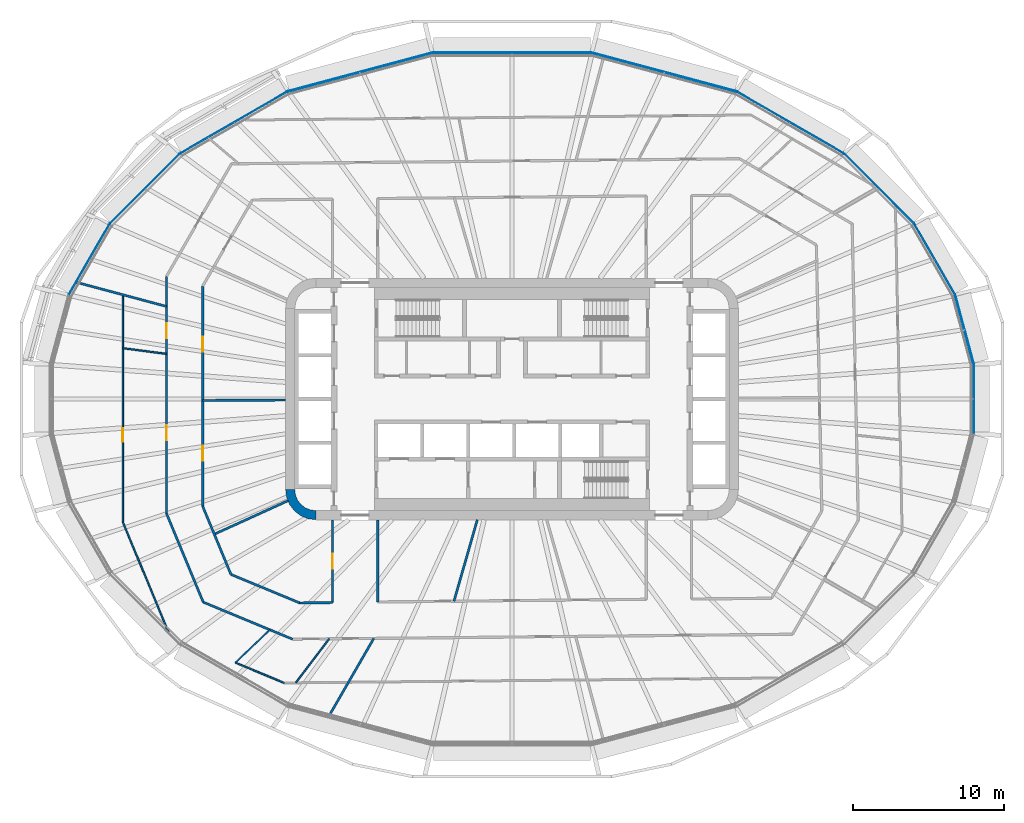
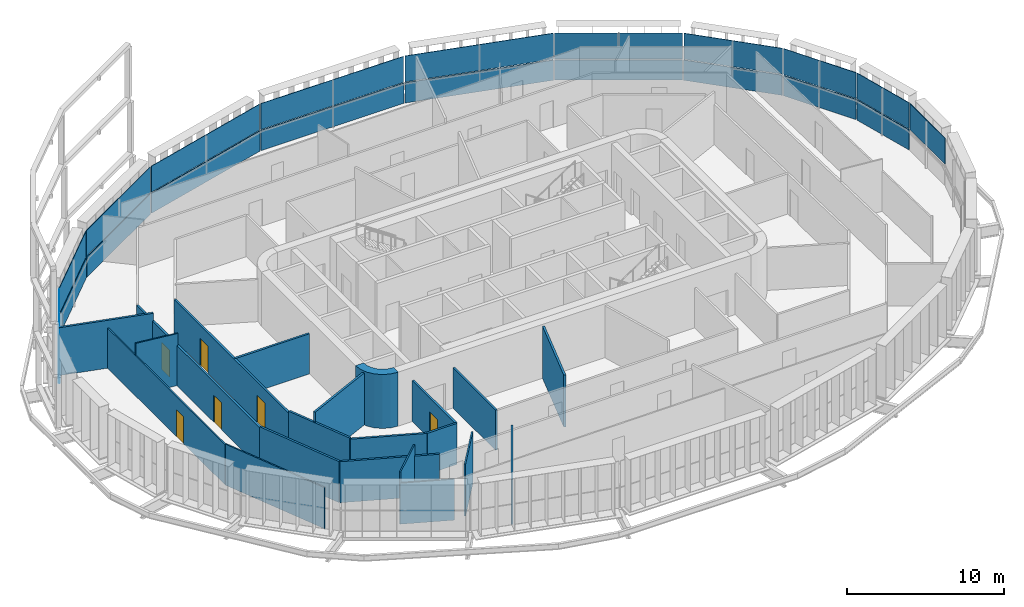
# One storey, part 12 of 24: 21 plates, 21 walls, 6 doors, 6 openings, 11 elements without a shape of their own.
"""IFC4 building model written with IfcOpenShell, lengths in metres."""

from ifc_helpers import new_model, si_unit, direction, frame, frame_2d, origin, place, context, subcontext, project, spatial, polyline, rectangle, outline, extrude, material, layer, layer_set, type_object, element, fill, aggregate, save


model = new_model("IFC4")

# Units and contexts
model_context = context("Model", 3, precision=1e-05, world=origin(), true_north=direction((0.0, 1.0)))
body_context = subcontext(model_context, "Body", "Model", "MODEL_VIEW")
ifc_project = project(units=[si_unit("LENGTHUNIT", "METRE"), si_unit("AREAUNIT", "SQUARE_METRE"), si_unit("VOLUMEUNIT", "CUBIC_METRE"), si_unit("PLANEANGLEUNIT", "RADIAN"), si_unit("MASSUNIT", "GRAM", prefix="KILO")], contexts=[model_context])

# Site, building, storey
site_placement = place(None, origin())
site = spatial("IfcSite", under=ifc_project, at=site_placement, CompositionType="ELEMENT")
building_placement = place(site_placement, origin())
building = spatial("IfcBuilding", under=site, at=building_placement, Name="Sahrelin Media Tower", CompositionType="ELEMENT")
storey_placement = place(building_placement, frame((0.0, 0.0, 58.800048828125)))
storey = spatial("IfcBuildingStorey", under=building, at=storey_placement, Name="L09", CompositionType="ELEMENT", Elevation=58.800048828125)

# Curtain wall, plate
ifc_material_1 = material(Name="Champagne anodised aluminium 6063-T6", Category="aluminium")
ifc_layer_1 = layer(ifc_material_1, 0.14990234375)
ifc_layer_set_1 = layer_set([ifc_layer_1], Name="Tower ribbon curtain wall")
curtain_wall_type = type_object("IfcCurtainWallType", Name="Tower ribbon curtain wall", PredefinedType="NOTDEFINED", material=ifc_layer_set_1)
curtain_wall_1_placement = place(storey_placement, frame((30.618408203125, 0.0, 0.0), z_axis=(0.0, 0.0, 1.0), x_axis=(1.0, 0.0, 0.0)))
curtain_wall_1 = element("IfcCurtainWall", 1, at=curtain_wall_1_placement, inside=storey, type_object=curtain_wall_type, Name="L09:CW:L09-00", PredefinedType="NOTDEFINED")
ifc_material_2 = material(Name="Clear low-iron glazing", Category="glass")
ifc_layer_2 = layer(ifc_material_2, 0.0400390625)
ifc_layer_set_2 = layer_set([ifc_layer_2], Name="Glazing panel 40 mm CW1")
plate_type_1 = type_object("IfcPlateType", Name="Glazing panel 40 mm CW1", PredefinedType="CURTAIN_PANEL", material=ifc_layer_set_2)
plate_1_placement = place(storey_placement, frame((30.638427734375, -2.23095703125, 1.6298828125), z_axis=(1.0, 0.0, 0.0), x_axis=(0.0, 1.0, 0.0)))
plate_1 = element("IfcPlate", 2, at=plate_1_placement, type_object=plate_type_1, Name="L09:CWP2:L09-00", PredefinedType="CURTAIN_PANEL", context=body_context, shape_type="SweptSolid", body=[
    extrude(outline(polyline([(0.0, 0.0), (4.4619140625, 0.0), (4.4619140625, 2.0185546875), (0.0, 2.0185546875), (0.0, 0.0)])), origin(), (0.0, 0.0, -1.0), 0.0400390625),
])
aggregate(curtain_wall_1, [plate_1])

curtain_wall_2_placement = place(storey_placement, frame((30.0009765625, 4.58544921875, 0.0), z_axis=(0.0, 0.0, 1.0), x_axis=(1.0, 0.0, 0.0)))
curtain_wall_2 = element("IfcCurtainWall", 3, at=curtain_wall_2_placement, inside=storey, type_object=curtain_wall_type, Name="L09:CW:L09-01", PredefinedType="NOTDEFINED")
plate_2_placement = place(storey_placement, frame((30.624755859375, 2.33447265625, 1.6298828125), z_axis=(0.965932422878, 0.258794425044, 0.0), x_axis=(-0.258794425044, 0.965932422878, 0.0)))
plate_2 = element("IfcPlate", 4, at=plate_2_placement, type_object=plate_type_1, Name="L09:CWP2:L09-01", PredefinedType="CURTAIN_PANEL", context=body_context, shape_type="SweptSolid", body=[
    extrude(outline(polyline([(0.0, 0.0), (4.671630859375, 0.0), (4.671630859375, 2.0185546875), (0.0, 2.0185546875), (0.0, 0.0)])), origin(), (0.0, 0.0, -1.0), 0.0400390625),
])

curtain_wall_3_placement = place(storey_placement, frame((28.025390625, 9.2421875, 0.0), z_axis=(0.0, 0.0, 1.0), x_axis=(1.0, 0.0, 0.0)))
curtain_wall_3 = element("IfcCurtainWall", 5, at=curtain_wall_3_placement, inside=storey, type_object=curtain_wall_type, Name="L09:CW:L09-02", PredefinedType="NOTDEFINED")
plate_3_placement = place(storey_placement, frame((29.375732421875, 6.943359375, 1.6298828125), z_axis=(0.866017083794, 0.500014410368, 0.0), x_axis=(-0.500014410368, 0.866017083794, 0.0)))
plate_3 = element("IfcPlate", 6, at=plate_3_placement, type_object=plate_type_1, Name="L09:CWP2:L09-02", PredefinedType="CURTAIN_PANEL", context=body_context, shape_type="SweptSolid", body=[
    extrude(outline(polyline([(0.0, 0.0), (5.332275390625, 0.0), (5.332275390625, 2.0185546875), (0.0, 2.0185546875), (0.0, 0.0)])), origin(), (0.0, 0.0, -1.0), 0.0400390625),
])

curtain_wall_4_placement = place(storey_placement, frame((24.331787109375, 13.929931640625, 0.0), z_axis=(0.0, 0.0, 1.0), x_axis=(1.0, 0.0, 0.0)))
curtain_wall_4 = element("IfcCurtainWall", 7, at=curtain_wall_4_placement, inside=storey, type_object=curtain_wall_type, Name="L09:CW:L09-03", PredefinedType="NOTDEFINED")
plate_4_placement = place(storey_placement, frame((26.64599609375, 11.64404296875, 1.6298828125), z_axis=(0.707106781187, 0.707106781187, 0.0), x_axis=(-0.707106781187, 0.707106781187, 0.0)))
plate_4 = element("IfcPlate", 8, at=plate_4_placement, type_object=plate_type_1, Name="L09:CWP2:L09-03", PredefinedType="CURTAIN_PANEL", context=body_context, shape_type="SweptSolid", body=[
    extrude(outline(polyline([(0.0, 0.0), (6.505615234375, 0.0), (6.505615234375, 2.0185546875), (0.0, 2.0185546875), (0.0, 0.0)])), origin(), (0.0, 0.0, -1.0), 0.0400390625),
])

curtain_wall_5_placement = place(storey_placement, frame((18.427490234375, 18.32568359375, 0.0), z_axis=(0.0, 0.0, 1.0), x_axis=(1.0, 0.0, 0.0)))
curtain_wall_5 = element("IfcCurtainWall", 9, at=curtain_wall_5_placement, inside=storey, type_object=curtain_wall_type, Name="L09:CW:L09-04", PredefinedType="NOTDEFINED")
plate_5_placement = place(storey_placement, frame((21.962890625, 16.3076171875, 1.6298828125), z_axis=(0.500025283505, 0.866010805854, 0.0), x_axis=(-0.866010805854, 0.500025283505, 0.0)))
plate_5 = element("IfcPlate", 10, at=plate_5_placement, type_object=plate_type_1, Name="L09:CWP2:L09-04", PredefinedType="CURTAIN_PANEL", context=body_context, shape_type="SweptSolid", body=[
    extrude(outline(polyline([(0.0, 0.0), (8.1416015625, 0.0), (8.1416015625, 2.0185546875), (0.0, 2.0185546875), (0.0, 0.0)])), origin(), (0.0, 0.0, -1.0), 0.0400390625),
])

curtain_wall_6_placement = place(storey_placement, frame((10.083984375, 21.665771484375, 0.0), z_axis=(0.0, 0.0, 1.0), x_axis=(1.0, 0.0, 0.0)))
curtain_wall_6 = element("IfcCurtainWall", 11, at=curtain_wall_6_placement, inside=storey, type_object=curtain_wall_type, Name="L09:CW:L09-05", PredefinedType="NOTDEFINED")
plate_6_placement = place(storey_placement, frame((14.815673828125, 20.418701171875, 1.6298828125), z_axis=(0.258802175009, 0.965930346459, 0.0), x_axis=(-0.965930346459, 0.258802175009, 0.0)))
plate_6 = element("IfcPlate", 12, at=plate_6_placement, type_object=plate_type_1, Name="L09:CWP2:L09-05", PredefinedType="CURTAIN_PANEL", context=body_context, shape_type="SweptSolid", body=[
    extrude(outline(polyline([(0.0, 0.0), (9.786376953125, 0.0), (9.786376953125, 2.0185546875), (0.0, 2.0185546875), (0.0, 0.0)])), origin(), (0.0, 0.0, -1.0), 0.0400390625),
])

curtain_wall_7_placement = place(storey_placement, frame((0.0, 22.945068359375, 0.0), z_axis=(0.0, 0.0, 1.0), x_axis=(1.0, 0.0, 0.0)))
curtain_wall_7 = element("IfcCurtainWall", 13, at=curtain_wall_7_placement, inside=storey, type_object=curtain_wall_type, Name="L09:CW:L09-06", PredefinedType="NOTDEFINED")
plate_7_placement = place(storey_placement, frame((5.25927734375, 22.965087890625, 1.6298828125), z_axis=(0.0, 1.0, 0.0), x_axis=(-1.0, 0.0, 0.0)))
plate_7 = element("IfcPlate", 14, at=plate_7_placement, type_object=plate_type_1, Name="L09:CWP2:L09-06", PredefinedType="CURTAIN_PANEL", context=body_context, shape_type="SweptSolid", body=[
    extrude(outline(polyline([(0.0, 0.0), (10.5185546875, 0.0), (10.5185546875, 2.0185546875), (0.0, 2.0185546875), (0.0, 0.0)])), origin(), (0.0, 0.0, -1.0), 0.0400390625),
])

curtain_wall_8_placement = place(storey_placement, frame((-10.083984375, 21.665771484375, 0.0), z_axis=(0.0, 0.0, 1.0), x_axis=(1.0, 0.0, 0.0)))
curtain_wall_8 = element("IfcCurtainWall", 15, at=curtain_wall_8_placement, inside=storey, type_object=curtain_wall_type, Name="L09:CW:L09-07", PredefinedType="NOTDEFINED")
plate_8_placement = place(storey_placement, frame((-5.36279296875, 22.951416015625, 1.6298828125), z_axis=(-0.258802175009, 0.965930346459, 0.0), x_axis=(-0.965930346459, -0.258802175009, 0.0)))
plate_8 = element("IfcPlate", 16, at=plate_8_placement, type_object=plate_type_1, Name="L09:CWP2:L09-07", PredefinedType="CURTAIN_PANEL", context=body_context, shape_type="SweptSolid", body=[
    extrude(outline(polyline([(0.0, 0.0), (9.786376953125, 0.0), (9.786376953125, 2.0185546875), (0.0, 2.0185546875), (0.0, 0.0)])), origin(), (0.0, 0.0, -1.0), 0.0400390625),
])

curtain_wall_9_placement = place(storey_placement, frame((-18.427490234375, 18.32568359375, 0.0), z_axis=(0.0, 0.0, 1.0), x_axis=(1.0, 0.0, 0.0)))
curtain_wall_9 = element("IfcCurtainWall", 17, at=curtain_wall_9_placement, inside=storey, type_object=curtain_wall_type, Name="L09:CW:L09-08", PredefinedType="NOTDEFINED")
plate_9_placement = place(storey_placement, frame((-14.912109375, 20.378662109375, 1.6298828125), z_axis=(-0.500025283505, 0.866010805854, 0.0), x_axis=(-0.866010805854, -0.500025283505, 0.0)))
plate_9 = element("IfcPlate", 18, at=plate_9_placement, type_object=plate_type_1, Name="L09:CWP2:L09-08", PredefinedType="CURTAIN_PANEL", context=body_context, shape_type="SweptSolid", body=[
    extrude(outline(polyline([(0.0, 0.0), (8.1416015625, 0.0), (8.1416015625, 2.0185546875), (0.0, 2.0185546875), (0.0, 0.0)])), origin(), (0.0, 0.0, -1.0), 0.0400390625),
])

curtain_wall_10_placement = place(storey_placement, frame((-24.331787109375, 13.929931640625, 0.0), z_axis=(0.0, 0.0, 1.0), x_axis=(1.0, 0.0, 0.0)))
curtain_wall_10 = element("IfcCurtainWall", 19, at=curtain_wall_10_placement, inside=storey, type_object=curtain_wall_type, Name="L09:CW:L09-09", PredefinedType="NOTDEFINED")
plate_10_placement = place(storey_placement, frame((-22.0458984375, 16.244140625, 1.6298828125), z_axis=(-0.707106781187, 0.707106781187, 0.0), x_axis=(-0.707106781187, -0.707106781187, 0.0)))
plate_10 = element("IfcPlate", 20, at=plate_10_placement, type_object=plate_type_1, Name="L09:CWP2:L09-09", PredefinedType="CURTAIN_PANEL", context=body_context, shape_type="SweptSolid", body=[
    extrude(outline(polyline([(0.0, 0.0), (6.505615234375, 0.0), (6.505615234375, 2.0185546875), (0.0, 2.0185546875), (0.0, 0.0)])), origin(), (0.0, 0.0, -1.0), 0.0400390625),
])

curtain_wall_11_placement = place(storey_placement, frame((-28.025390625, 9.2421875, 0.0), z_axis=(0.0, 0.0, 1.0), x_axis=(1.0, 0.0, 0.0)))
curtain_wall_11 = element("IfcCurtainWall", 21, at=curtain_wall_11_placement, inside=storey, type_object=curtain_wall_type, Name="L09:CW:L09-10", PredefinedType="NOTDEFINED")
plate_11_placement = place(storey_placement, frame((-26.70947265625, 11.561279296875, 1.6298828125), z_axis=(-0.866017083794, 0.500014410368, 0.0), x_axis=(-0.500014410368, -0.866017083794, 0.0)))
plate_11 = element("IfcPlate", 22, at=plate_11_placement, type_object=plate_type_1, Name="L09:CWP2:L09-10", PredefinedType="CURTAIN_PANEL", context=body_context, shape_type="SweptSolid", body=[
    extrude(outline(polyline([(0.0, 0.0), (5.332275390625, 0.0), (5.332275390625, 2.0185546875), (0.0, 2.0185546875), (0.0, 0.0)])), origin(), (0.0, 0.0, -1.0), 0.0400390625),
])

# Plate
ifc_material_3 = material(Name="Insulated spandrel panel")
ifc_layer_3 = layer(ifc_material_3, 0.06005859375)
ifc_layer_set_3 = layer_set([ifc_layer_3], Name="Spandrel panel 60 mm CW1")
plate_type_2 = type_object("IfcPlateType", Name="Spandrel panel 60 mm CW1", PredefinedType="SHEET", material=ifc_layer_set_3)
plate_12_placement = place(storey_placement, frame((30.624755859375, 2.33447265625, 0.0), z_axis=(0.965932422878, 0.258794425044, 0.0), x_axis=(-0.258794425044, 0.965932422878, 0.0)))
plate_12 = element("IfcPlate", 23, at=plate_12_placement, type_object=plate_type_2, Name="L09:CWP1:L09-01", PredefinedType="SHEET", context=body_context, shape_type="SweptSolid", body=[
    extrude(outline(polyline([(0.0, 0.0), (4.671630859375, 0.0), (4.671630859375, 1.570068359375), (0.0, 1.570068359375), (0.0, 0.0)])), origin(), (0.0, 0.0, -1.0), 0.06005859375),
])

aggregate(curtain_wall_2, [plate_12, plate_2])

plate_13_placement = place(storey_placement, frame((29.375732421875, 6.943359375, 0.0), z_axis=(0.866017083794, 0.500014410368, 0.0), x_axis=(-0.500014410368, 0.866017083794, 0.0)))
plate_13 = element("IfcPlate", 24, at=plate_13_placement, type_object=plate_type_2, Name="L09:CWP1:L09-02", PredefinedType="SHEET", context=body_context, shape_type="SweptSolid", body=[
    extrude(outline(polyline([(0.0, 0.0), (5.332275390625, 0.0), (5.332275390625, 1.570068359375), (0.0, 1.570068359375), (0.0, 0.0)])), origin(), (0.0, 0.0, -1.0), 0.06005859375),
])

aggregate(curtain_wall_3, [plate_13, plate_3])

plate_14_placement = place(storey_placement, frame((26.64599609375, 11.64404296875, 0.0), z_axis=(0.707106781187, 0.707106781187, 0.0), x_axis=(-0.707106781187, 0.707106781187, 0.0)))
plate_14 = element("IfcPlate", 25, at=plate_14_placement, type_object=plate_type_2, Name="L09:CWP1:L09-03", PredefinedType="SHEET", context=body_context, shape_type="SweptSolid", body=[
    extrude(outline(polyline([(0.0, 0.0), (6.505615234375, 0.0), (6.505615234375, 1.570068359375), (0.0, 1.570068359375), (0.0, 0.0)])), origin(), (0.0, 0.0, -1.0), 0.06005859375),
])

aggregate(curtain_wall_4, [plate_14, plate_4])

plate_15_placement = place(storey_placement, frame((21.962890625, 16.3076171875, 0.0), z_axis=(0.500025283505, 0.866010805854, 0.0), x_axis=(-0.866010805854, 0.500025283505, 0.0)))
plate_15 = element("IfcPlate", 26, at=plate_15_placement, type_object=plate_type_2, Name="L09:CWP1:L09-04", PredefinedType="SHEET", context=body_context, shape_type="SweptSolid", body=[
    extrude(outline(polyline([(0.0, 0.0), (8.1416015625, 0.0), (8.1416015625, 1.570068359375), (0.0, 1.570068359375), (0.0, 0.0)])), origin(), (0.0, 0.0, -1.0), 0.06005859375),
])

aggregate(curtain_wall_5, [plate_15, plate_5])

plate_16_placement = place(storey_placement, frame((14.815673828125, 20.418701171875, 0.0), z_axis=(0.258802175009, 0.965930346459, 0.0), x_axis=(-0.965930346459, 0.258802175009, 0.0)))
plate_16 = element("IfcPlate", 27, at=plate_16_placement, type_object=plate_type_2, Name="L09:CWP1:L09-05", PredefinedType="SHEET", context=body_context, shape_type="SweptSolid", body=[
    extrude(outline(polyline([(0.0, 0.0), (9.786376953125, 0.0), (9.786376953125, 1.570068359375), (0.0, 1.570068359375), (0.0, 0.0)])), origin(), (0.0, 0.0, -1.0), 0.06005859375),
])

aggregate(curtain_wall_6, [plate_16, plate_6])

plate_17_placement = place(storey_placement, frame((5.25927734375, 22.965087890625, 0.0), z_axis=(0.0, 1.0, 0.0), x_axis=(-1.0, 0.0, 0.0)))
plate_17 = element("IfcPlate", 28, at=plate_17_placement, type_object=plate_type_2, Name="L09:CWP1:L09-06", PredefinedType="SHEET", context=body_context, shape_type="SweptSolid", body=[
    extrude(outline(polyline([(0.0, 0.0), (10.5185546875, 0.0), (10.5185546875, 1.570068359375), (0.0, 1.570068359375), (0.0, 0.0)])), origin(), (0.0, 0.0, -1.0), 0.06005859375),
])

aggregate(curtain_wall_7, [plate_17, plate_7])

plate_18_placement = place(storey_placement, frame((-5.36279296875, 22.951416015625, 0.0), z_axis=(-0.258802175009, 0.965930346459, 0.0), x_axis=(-0.965930346459, -0.258802175009, 0.0)))
plate_18 = element("IfcPlate", 29, at=plate_18_placement, type_object=plate_type_2, Name="L09:CWP1:L09-07", PredefinedType="SHEET", context=body_context, shape_type="SweptSolid", body=[
    extrude(outline(polyline([(0.0, 0.0), (9.786376953125, 0.0), (9.786376953125, 1.570068359375), (0.0, 1.570068359375), (0.0, 0.0)])), origin(), (0.0, 0.0, -1.0), 0.06005859375),
])

aggregate(curtain_wall_8, [plate_18, plate_8])

plate_19_placement = place(storey_placement, frame((-14.912109375, 20.378662109375, 0.0), z_axis=(-0.500025283505, 0.866010805854, 0.0), x_axis=(-0.866010805854, -0.500025283505, 0.0)))
plate_19 = element("IfcPlate", 30, at=plate_19_placement, type_object=plate_type_2, Name="L09:CWP1:L09-08", PredefinedType="SHEET", context=body_context, shape_type="SweptSolid", body=[
    extrude(outline(polyline([(0.0, 0.0), (8.1416015625, 0.0), (8.1416015625, 1.570068359375), (0.0, 1.570068359375), (0.0, 0.0)])), origin(), (0.0, 0.0, -1.0), 0.06005859375),
])

aggregate(curtain_wall_9, [plate_19, plate_9])

plate_20_placement = place(storey_placement, frame((-22.0458984375, 16.244140625, 0.0), z_axis=(-0.707106781187, 0.707106781187, 0.0), x_axis=(-0.707106781187, -0.707106781187, 0.0)))
plate_20 = element("IfcPlate", 31, at=plate_20_placement, type_object=plate_type_2, Name="L09:CWP1:L09-09", PredefinedType="SHEET", context=body_context, shape_type="SweptSolid", body=[
    extrude(outline(polyline([(0.0, 0.0), (6.505615234375, 0.0), (6.505615234375, 1.570068359375), (0.0, 1.570068359375), (0.0, 0.0)])), origin(), (0.0, 0.0, -1.0), 0.06005859375),
])

aggregate(curtain_wall_10, [plate_20, plate_10])

plate_21_placement = place(storey_placement, frame((-26.70947265625, 11.561279296875, 0.0), z_axis=(-0.866017083794, 0.500014410368, 0.0), x_axis=(-0.500014410368, -0.866017083794, 0.0)))
plate_21 = element("IfcPlate", 32, at=plate_21_placement, type_object=plate_type_2, Name="L09:CWP1:L09-10", PredefinedType="SHEET", context=body_context, shape_type="SweptSolid", body=[
    extrude(outline(polyline([(0.0, 0.0), (5.332275390625, 0.0), (5.332275390625, 1.570068359375), (0.0, 1.570068359375), (0.0, 0.0)])), origin(), (0.0, 0.0, -1.0), 0.06005859375),
])

aggregate(curtain_wall_11, [plate_21, plate_11])

# Walls
ifc_material_4 = material(Name="Concrete C60/75", Category="concrete")
ifc_layer_4 = layer(ifc_material_4, 0.60009765625)
ifc_layer_set_4 = layer_set([ifc_layer_4], Name="Core wall 600")
wall_type_1 = type_object("IfcWallType", Name="Core wall 600", PredefinedType="SHEAR", material=ifc_layer_set_4)
wall_1_placement = place(storey_placement, origin())
element("IfcWall", 33, at=wall_1_placement, inside=storey, type_object=wall_type_1, Name="Core wall corner SW L09", PredefinedType="SHEAR", context=body_context, shape_type="SweptSolid", body=[
    extrude(outline(polyline([(-13.0, -8.0), (-13.0, -7.394775390625), (-13.361083984375, -7.347412109375), (-13.697509765625, -7.2080078125), (-13.986328125, -6.986328125), (-14.2080078125, -6.697509765625), (-14.347412109375, -6.361083984375), (-14.394775390625, -6.0), (-15.0, -6.0), (-14.931884765625, -6.517578125), (-14.732177734375, -7.0), (-14.414306640625, -7.414306640625), (-14.0, -7.732177734375), (-13.517578125, -7.931884765625), (-13.0, -8.0)])), origin(), (0.0, 0.0, 1.0), 4.199951171875),
])
ifc_material_5 = material(Name="Fire-rated gypsum board partition")
ifc_layer_5 = layer(ifc_material_5, 0.14990234375)
ifc_layer_set_5 = layer_set([ifc_layer_5], Name="Fire-rated partition 150")
wall_type_2 = type_object("IfcWallType", Name="Fire-rated partition 150", PredefinedType="PARTITIONING", material=ifc_layer_set_5)
wall_2_placement = place(storey_placement, frame((-22.89990234375, -7.572021484375, 0.0), z_axis=(0.0, 0.0, 1.0), x_axis=(0.382860357704, -0.923806227788, 0.0)))
element("IfcWall", 34, at=wall_2_placement, inside=storey, type_object=wall_type_2, Name="Wall", PredefinedType="PARTITIONING", context=body_context, shape_type="SweptSolid", body=[
    extrude(rectangle(XDim=6.37353515625, YDim=0.14990234375, at=frame_2d((3.186767578125, 0.0))), origin(), (0.0, 0.0, 1.0), 3.195068359375),
])
wall_3_placement = place(storey_placement, frame((-20.5, -7.094970703125, 0.0), z_axis=(0.0, 0.0, 1.0), x_axis=(0.382878184095, -0.923798839653, 0.0)))
element("IfcWall", 35, at=wall_3_placement, inside=storey, type_object=wall_type_2, Name="Wall", PredefinedType="PARTITIONING", context=body_context, shape_type="SweptSolid", body=[
    extrude(rectangle(XDim=4.901611328125, YDim=0.14990234375, at=frame_2d((2.45068359375, 0.0))), origin(), (0.0, 0.0, 1.0), 3.27587890625),
])
wall_4_placement = place(storey_placement, frame((-20.4599609375, -13.4599609375, 0.0), z_axis=(0.0, 0.0, 1.0), x_axis=(0.9237825057, -0.382917591869, 0.0)))
element("IfcWall", 36, at=wall_4_placement, inside=storey, type_object=wall_type_2, Name="Wall", PredefinedType="PARTITIONING", context=body_context, shape_type="SweptSolid", body=[
    extrude(rectangle(XDim=6.414794921875, YDim=0.14990234375, at=frame_2d((3.20751953125, 0.0))), origin(), (0.0, 0.0, 1.0), 3.195068359375),
])
wall_5_placement = place(storey_placement, frame((-18.623046875, -11.623046875, 0.0), z_axis=(0.0, 0.0, 1.0), x_axis=(0.923791670587, -0.38289548098, 0.0)))
element("IfcWall", 37, at=wall_5_placement, inside=storey, type_object=wall_type_2, Name="Wall", PredefinedType="PARTITIONING", context=body_context, shape_type="SweptSolid", body=[
    extrude(rectangle(XDim=4.9306640625, YDim=0.14990234375, at=frame_2d((2.46533203125, 0.0))), origin(), (0.0, 0.0, 1.0), 3.195068359375),
])
wall_6_placement = place(storey_placement, frame((-28.89111328125, 7.740966796875, 0.0), z_axis=(0.0, 0.0, 1.0), x_axis=(0.965940321577, -0.258764941893, 0.0)))
element("IfcWall", 38, at=wall_6_placement, inside=storey, type_object=wall_type_2, Name="Wall", PredefinedType="PARTITIONING", context=body_context, shape_type="SweptSolid", body=[
    extrude(rectangle(XDim=6.202392578125, YDim=0.14990234375, at=frame_2d((3.10107421875, 0.0))), origin(), (0.0, 0.0, 1.0), 3.7265625),
])
wall_7_placement = place(storey_placement, frame((-20.5, -0.093994140625, 0.0), z_axis=(0.0, 0.0, 1.0), x_axis=(0.999990148138, 0.004438876723, 0.0)))
element("IfcWall", 39, at=wall_7_placement, inside=storey, type_object=wall_type_2, Name="Wall", PredefinedType="PARTITIONING", context=body_context, shape_type="SweptSolid", body=[
    extrude(rectangle(XDim=5.5, YDim=0.14990234375, at=frame_2d((2.75, 0.0))), origin(), (0.0, 0.0, 1.0), 3.126953125),
])
wall_8_placement = place(storey_placement, frame((-14.068115234375, -13.510986328125, 0.0), z_axis=(0.0, 0.0, 1.0), x_axis=(0.999950911515, 0.009908307647, 0.0)))
element("IfcWall", 40, at=wall_8_placement, inside=storey, type_object=wall_type_2, Name="Wall", PredefinedType="PARTITIONING", context=body_context, shape_type="SweptSolid", body=[
    extrude(rectangle(XDim=2.168212890625, YDim=0.14990234375, at=frame_2d((1.083984375, 0.0))), origin(), (0.0, 0.0, 1.0), 3.195068359375),
])
wall_9_placement = place(storey_placement, frame((-19.72802734375, -8.9580078125, 0.0), z_axis=(0.0, 0.0, 1.0), x_axis=(0.910629511797, 0.413223779863, 0.0)))
element("IfcWall", 41, at=wall_9_placement, inside=storey, type_object=wall_type_2, Name="Wall", PredefinedType="PARTITIONING", context=body_context, shape_type="SweptSolid", body=[
    extrude(rectangle(XDim=5.3681640625, YDim=0.14990234375, at=frame_2d((2.68408203125, 0.0))), origin(), (0.0, 0.0, 1.0), 4.050048828125),
])
wall_10_placement = place(storey_placement, frame((-12.18408203125, -21.10302734375, 0.0), z_axis=(0.0, 0.0, 1.0), x_axis=(0.500022810783, 0.866012233572, 0.0)))
element("IfcWall", 42, at=wall_10_placement, inside=storey, type_object=wall_type_2, Name="Wall", PredefinedType="PARTITIONING", context=body_context, shape_type="SweptSolid", body=[
    extrude(rectangle(XDim=6.051025390625, YDim=0.14990234375, at=frame_2d((3.025390625, 0.0))), origin(), (0.0, 0.0, 1.0), 3.501708984375),
])
wall_11_placement = place(storey_placement, frame((-3.845947265625, -13.39892578125, 0.0), z_axis=(0.0, 0.0, 1.0), x_axis=(0.275914969745, 0.961182048038, 0.0)))
element("IfcWall", 43, at=wall_11_placement, inside=storey, type_object=wall_type_2, Name="Wall", PredefinedType="PARTITIONING", context=body_context, shape_type="SweptSolid", body=[
    extrude(rectangle(XDim=5.616943359375, YDim=0.14990234375, at=frame_2d((2.80859375, 0.0))), origin(), (0.0, 0.0, 1.0), 4.050048828125),
])
wall_12_placement = place(storey_placement, frame((-8.89990234375, -13.448974609375, 0.0), z_axis=(0.0, 0.0, 1.0), x_axis=(0.0, 1.0, 0.0)))
element("IfcWall", 44, at=wall_12_placement, inside=storey, type_object=wall_type_2, Name="Wall", PredefinedType="PARTITIONING", context=body_context, shape_type="SweptSolid", body=[
    extrude(rectangle(XDim=5.448974609375, YDim=0.14990234375, at=frame_2d((2.724609375, 0.0))), origin(), (0.0, 0.0, 1.0), 3.126953125),
])

# Wall, opening, door
wall_13_placement = place(storey_placement, frame((-11.89990234375, -13.489990234375, 0.0), z_axis=(0.0, 0.0, 1.0), x_axis=(0.0, 1.0, 0.0)))
wall_13 = element("IfcWall", 45, at=wall_13_placement, inside=storey, type_object=wall_type_2, Name="Wall", PredefinedType="PARTITIONING", context=body_context, shape_type="SweptSolid", body=[
    extrude(rectangle(XDim=5.489990234375, YDim=0.14990234375, at=frame_2d((2.7451171875, 0.0))), origin(), (0.0, 0.0, 1.0), 3.195068359375),
])
opening_1_placement = place(wall_13_placement, frame((2.2451171875, 0.0, 0.0)))
opening_1 = element("IfcOpeningElement", 46, at=opening_1_placement, cuts=wall_13, Name="Opening L09-D35", PredefinedType="OPENING", context=body_context, shape_type="SweptSolid", body=[
    extrude(rectangle(XDim=1.0, YDim=2.10009765625, at=frame_2d((0.5, 1.050048828125))), frame((0.0, 0.074951171875, 0.0), z_axis=(0.0, -1.0, 0.0), x_axis=(1.0, 0.0, 0.0)), (0.0, 0.0, 1.0), 0.14990234375),
])
ifc_material_6 = material(Name="Steel fire door leaf", Category="steel")
door_type_1 = type_object("IfcDoorType", Name="Fire door 1000 x 2100 EI 60", OperationType="NOTDEFINED", PredefinedType="DOOR", material=ifc_material_6)
door_1_placement = place(opening_1_placement, origin())
door_1 = element("IfcDoor", 47, at=door_1_placement, inside=storey, type_object=door_type_1, Name="Fire door", OperationType="SINGLE_SWING_RIGHT", OverallHeight=2.10009765625, OverallWidth=1.0, PredefinedType="DOOR", context=body_context, shape_type="SweptSolid", body=[
    extrude(rectangle(XDim=1.0, YDim=2.10009765625, at=frame_2d((0.5, 1.050048828125))), frame((0.0, 0.02490234375, 0.0), z_axis=(0.0, -1.0, 0.0), x_axis=(1.0, 0.0, 0.0)), (0.0, 0.0, 1.0), 0.050048828125),
])
fill(opening_1, door_1)

# Wall, openings, doors
wall_14_placement = place(storey_placement, frame((-20.5, -7.094970703125, 0.0), z_axis=(0.0, 0.0, 1.0), x_axis=(0.0, 1.0, 0.0)))
wall_14 = element("IfcWall", 48, at=wall_14_placement, inside=storey, type_object=wall_type_2, Name="Wall", PredefinedType="PARTITIONING", context=body_context, shape_type="SweptSolid", body=[
    extrude(rectangle(XDim=14.569091796875, YDim=0.14990234375, at=frame_2d((7.28466796875, 0.0))), origin(), (0.0, 0.0, 1.0), 3.126953125),
])
opening_2_placement = place(wall_14_placement, frame((10.234375, 0.0, 0.0)))
opening_2 = element("IfcOpeningElement", 49, at=opening_2_placement, cuts=wall_14, Name="Opening L09-D33", PredefinedType="OPENING", context=body_context, shape_type="SweptSolid", body=[
    extrude(rectangle(XDim=1.0, YDim=2.10009765625, at=frame_2d((0.5, 1.050048828125))), frame((0.0, 0.074951171875, 0.0), z_axis=(0.0, -1.0, 0.0), x_axis=(1.0, 0.0, 0.0)), (0.0, 0.0, 1.0), 0.14990234375),
])
opening_3_placement = place(wall_14_placement, frame((3.00048828125, 0.0, 0.0)))
opening_3 = element("IfcOpeningElement", 50, at=opening_3_placement, cuts=wall_14, Name="Opening L09-D34", PredefinedType="OPENING", context=body_context, shape_type="SweptSolid", body=[
    extrude(rectangle(XDim=1.0, YDim=2.10009765625, at=frame_2d((0.5, 1.050048828125))), frame((0.0, 0.074951171875, 0.0), z_axis=(0.0, -1.0, 0.0), x_axis=(1.0, 0.0, 0.0)), (0.0, 0.0, 1.0), 0.14990234375),
])
door_2_placement = place(opening_2_placement, origin())
door_2 = element("IfcDoor", 51, at=door_2_placement, inside=storey, type_object=door_type_1, Name="Fire door", OperationType="SINGLE_SWING_RIGHT", OverallHeight=2.10009765625, OverallWidth=1.0, PredefinedType="DOOR", context=body_context, shape_type="SweptSolid", body=[
    extrude(rectangle(XDim=1.0, YDim=2.10009765625, at=frame_2d((0.5, 1.050048828125))), frame((0.0, 0.02490234375, 0.0), z_axis=(0.0, -1.0, 0.0), x_axis=(1.0, 0.0, 0.0)), (0.0, 0.0, 1.0), 0.050048828125),
])
fill(opening_2, door_2)
door_3_placement = place(opening_3_placement, origin())
door_3 = element("IfcDoor", 52, at=door_3_placement, inside=storey, type_object=door_type_1, Name="Fire door", OperationType="SINGLE_SWING_LEFT", OverallHeight=2.10009765625, OverallWidth=1.0, PredefinedType="DOOR", context=body_context, shape_type="SweptSolid", body=[
    extrude(rectangle(XDim=1.0, YDim=2.10009765625, at=frame_2d((0.5, 1.050048828125))), frame((0.0, 0.02490234375, 0.0), z_axis=(0.0, -1.0, 0.0), x_axis=(1.0, 0.0, 0.0)), (0.0, 0.0, 1.0), 0.050048828125),
])
fill(opening_3, door_3)

wall_15_placement = place(storey_placement, frame((-22.89990234375, -7.572021484375, 0.0), z_axis=(0.0, 0.0, 1.0), x_axis=(0.0, 1.0, 0.0)))
wall_15 = element("IfcWall", 53, at=wall_15_placement, inside=storey, type_object=wall_type_2, Name="Wall", PredefinedType="PARTITIONING", context=body_context, shape_type="SweptSolid", body=[
    extrude(rectangle(XDim=15.68896484375, YDim=0.14990234375, at=frame_2d((7.844482421875, 0.0))), origin(), (0.0, 0.0, 1.0), 3.126953125),
])
opening_4_placement = place(wall_15_placement, frame((11.5830078125, 0.0, 0.0)))
opening_4 = element("IfcOpeningElement", 54, at=opening_4_placement, cuts=wall_15, Name="Opening L09-D40", PredefinedType="OPENING", context=body_context, shape_type="SweptSolid", body=[
    extrude(rectangle(XDim=1.0, YDim=2.10009765625, at=frame_2d((0.5, 1.050048828125))), frame((0.0, 0.074951171875, 0.0), z_axis=(0.0, -1.0, 0.0), x_axis=(1.0, 0.0, 0.0)), (0.0, 0.0, 1.0), 0.14990234375),
])
opening_5_placement = place(wall_15_placement, frame((4.831787109375, 0.0, 0.0)))
opening_5 = element("IfcOpeningElement", 55, at=opening_5_placement, cuts=wall_15, Name="Opening L09-D41", PredefinedType="OPENING", context=body_context, shape_type="SweptSolid", body=[
    extrude(rectangle(XDim=1.0, YDim=2.10009765625, at=frame_2d((0.5, 1.050048828125))), frame((0.0, 0.074951171875, 0.0), z_axis=(0.0, -1.0, 0.0), x_axis=(1.0, 0.0, 0.0)), (0.0, 0.0, 1.0), 0.14990234375),
])
door_4_placement = place(opening_4_placement, origin())
door_4 = element("IfcDoor", 56, at=door_4_placement, inside=storey, type_object=door_type_1, Name="Fire door", OperationType="SINGLE_SWING_LEFT", OverallHeight=2.10009765625, OverallWidth=1.0, PredefinedType="DOOR", context=body_context, shape_type="SweptSolid", body=[
    extrude(rectangle(XDim=1.0, YDim=2.10009765625, at=frame_2d((0.5, 1.050048828125))), frame((0.0, 0.02490234375, 0.0), z_axis=(0.0, -1.0, 0.0), x_axis=(1.0, 0.0, 0.0)), (0.0, 0.0, 1.0), 0.050048828125),
])
fill(opening_4, door_4)
door_5_placement = place(opening_5_placement, origin())
door_5 = element("IfcDoor", 57, at=door_5_placement, inside=storey, type_object=door_type_1, Name="Fire door", OperationType="SINGLE_SWING_RIGHT", OverallHeight=2.10009765625, OverallWidth=1.0, PredefinedType="DOOR", context=body_context, shape_type="SweptSolid", body=[
    extrude(rectangle(XDim=1.0, YDim=2.10009765625, at=frame_2d((0.5, 1.050048828125))), frame((0.0, 0.02490234375, 0.0), z_axis=(0.0, -1.0, 0.0), x_axis=(1.0, 0.0, 0.0)), (0.0, 0.0, 1.0), 0.050048828125),
])
fill(opening_5, door_5)

# Walls
ifc_material_7 = material(Name="Gypsum board partition")
ifc_layer_6 = layer(ifc_material_7, 0.10009765625)
ifc_layer_set_6 = layer_set([ifc_layer_6], Name="Partition 100")
wall_type_3 = type_object("IfcWallType", Name="Partition 100", PredefinedType="PARTITIONING", material=ifc_layer_set_6)
wall_16_placement = place(storey_placement, frame((-25.7900390625, -8.14697265625, 0.0), z_axis=(0.0, 0.0, 1.0), x_axis=(0.3827816734, -0.923838833623, 0.0)))
element("IfcWall", 58, at=wall_16_placement, inside=storey, type_object=wall_type_3, Name="Wall", PredefinedType="PARTITIONING", context=body_context, shape_type="SweptSolid", body=[
    extrude(rectangle(XDim=7.99169921875, YDim=0.10009765625, at=frame_2d((3.995849609375, 0.0))), origin(), (0.0, 0.0, 1.0), 3.195068359375),
])
wall_17_placement = place(storey_placement, frame((-18.33203125, -17.470947265625, 0.0), z_axis=(0.0, 0.0, 1.0), x_axis=(0.923856315575, -0.3827394782, 0.0)))
element("IfcWall", 59, at=wall_17_placement, inside=storey, type_object=wall_type_3, Name="Wall", PredefinedType="PARTITIONING", context=body_context, shape_type="SweptSolid", body=[
    extrude(rectangle(XDim=3.50390625, YDim=0.10009765625, at=frame_2d((1.751953125, 0.0))), origin(), (0.0, 0.0, 1.0), 3.195068359375),
])
wall_18_placement = place(storey_placement, frame((-25.7900390625, 3.367919921875, 0.0), z_axis=(0.0, 0.0, 1.0), x_axis=(0.991601345334, -0.129332022064, 0.0)))
element("IfcWall", 60, at=wall_18_placement, inside=storey, type_object=wall_type_3, Name="Wall", PredefinedType="PARTITIONING", context=body_context, shape_type="SweptSolid", body=[
    extrude(rectangle(XDim=2.91455078125, YDim=0.10009765625, at=frame_2d((1.457275390625, 0.0))), origin(), (0.0, 0.0, 1.0), 4.050048828125),
])
wall_19_placement = place(storey_placement, frame((-18.33203125, -17.470947265625, 0.0), z_axis=(0.0, 0.0, 1.0), x_axis=(0.723856845345, 0.689950192005, 0.0)))
element("IfcWall", 61, at=wall_19_placement, inside=storey, type_object=wall_type_3, Name="Wall", PredefinedType="PARTITIONING", context=body_context, shape_type="SweptSolid", body=[
    extrude(rectangle(XDim=3.160888671875, YDim=0.10009765625, at=frame_2d((1.58056640625, 0.0))), origin(), (0.0, 0.0, 1.0), 4.050048828125),
])
wall_20_placement = place(storey_placement, frame((-14.327880859375, -18.803955078125, 0.0), z_axis=(0.0, 0.0, 1.0), x_axis=(0.606117553719, 0.795375075718, 0.0)))
element("IfcWall", 62, at=wall_20_placement, inside=storey, type_object=wall_type_3, Name="Wall", PredefinedType="PARTITIONING", context=body_context, shape_type="SweptSolid", body=[
    extrude(rectangle(XDim=3.660888671875, YDim=0.10009765625, at=frame_2d((1.83056640625, 0.0))), origin(), (0.0, 0.0, 1.0), 4.050048828125),
])

# Wall, opening, door
wall_21_placement = place(storey_placement, frame((-25.7900390625, -8.14697265625, 0.0), z_axis=(0.0, 0.0, 1.0), x_axis=(0.0, 1.0, 0.0)))
wall_21 = element("IfcWall", 63, at=wall_21_placement, inside=storey, type_object=wall_type_3, Name="Wall", PredefinedType="PARTITIONING", context=body_context, shape_type="SweptSolid", body=[
    extrude(rectangle(XDim=15.056884765625, YDim=0.10009765625, at=frame_2d((7.5283203125, 0.0))), origin(), (0.0, 0.0, 1.0), 3.126953125),
])
opening_6_placement = place(wall_21_placement, frame((5.3076171875, 0.0, 0.0)))
opening_6 = element("IfcOpeningElement", 64, at=opening_6_placement, cuts=wall_21, Name="Opening L09-D44", PredefinedType="OPENING", context=body_context, shape_type="SweptSolid", body=[
    extrude(rectangle(XDim=0.89990234375, YDim=2.10009765625, at=frame_2d((0.449951171875, 1.050048828125))), frame((0.0, 0.050048828125, 0.0), z_axis=(0.0, -1.0, 0.0), x_axis=(1.0, 0.0, 0.0)), (0.0, 0.0, 1.0), 0.10009765625),
])
ifc_material_8 = material(Name="Timber door leaf", Category="wood")
door_type_2 = type_object("IfcDoorType", Name="Single door 900 x 2100", OperationType="NOTDEFINED", PredefinedType="DOOR", material=ifc_material_8)
door_6_placement = place(opening_6_placement, origin())
door_6 = element("IfcDoor", 65, at=door_6_placement, inside=storey, type_object=door_type_2, Name="Single door", OperationType="SINGLE_SWING_LEFT", OverallHeight=2.10009765625, OverallWidth=0.89990234375, PredefinedType="DOOR", context=body_context, shape_type="SweptSolid", body=[
    extrude(rectangle(XDim=0.89990234375, YDim=2.10009765625, at=frame_2d((0.449951171875, 1.050048828125))), frame((0.0, 0.02490234375, 0.0), z_axis=(0.0, -1.0, 0.0), x_axis=(1.0, 0.0, 0.0)), (0.0, 0.0, 1.0), 0.050048828125),
])
fill(opening_6, door_6)

save(model, "model.ifc")
